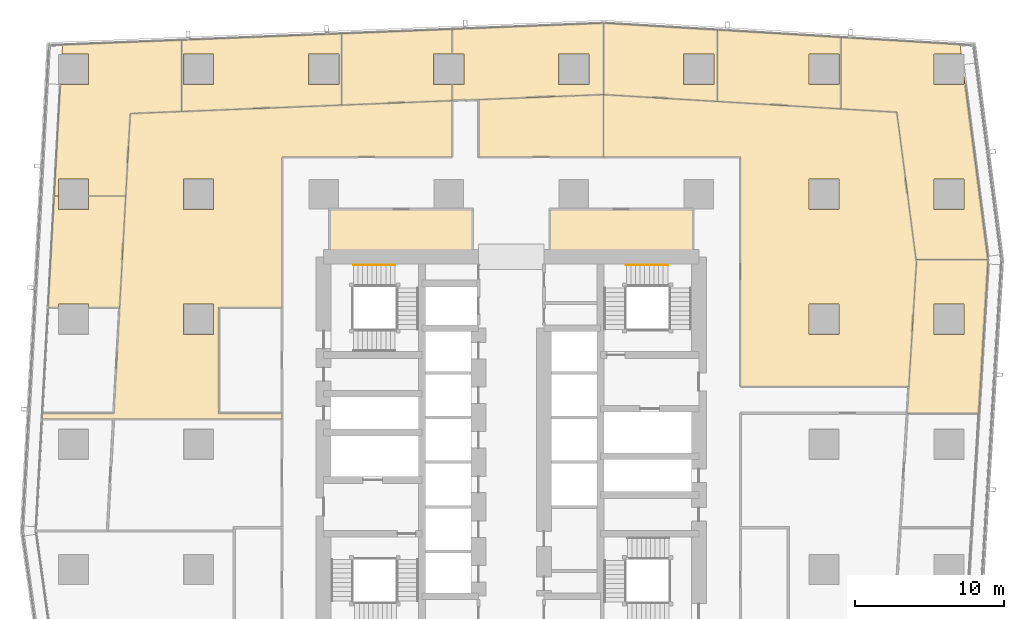
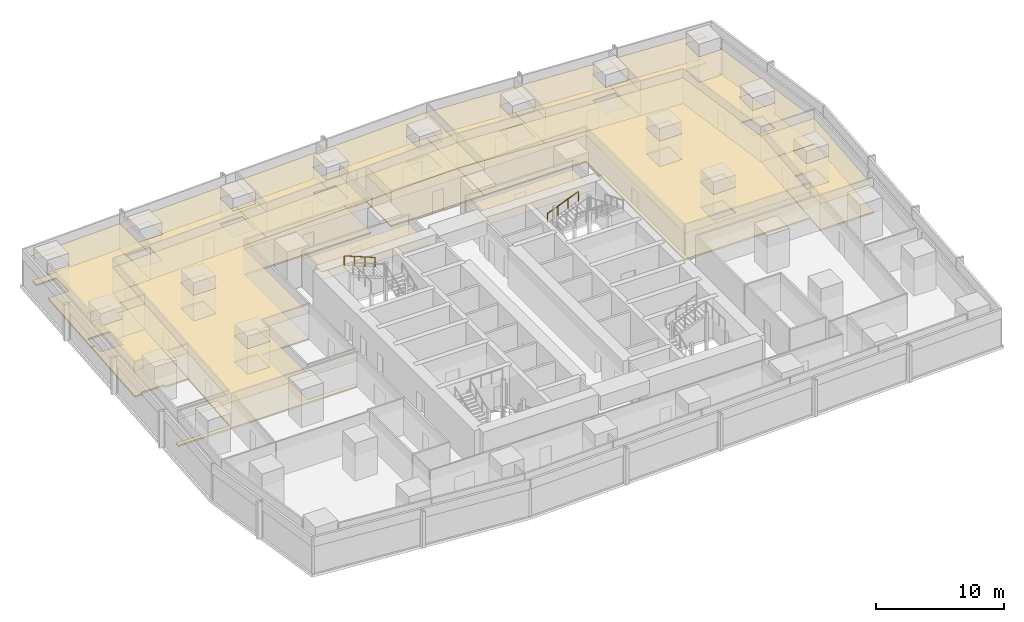
# One storey, part 39 of 39: 26 coverings, 2 railings.
"""IFC4 building model written with IfcOpenShell, lengths in metres."""

import ifcopenshell
import ifcopenshell.guid

model = None  # the IFC model being written
_history = None  # IfcOwnerHistory: only IFC2X3 demands one
_inside = {}  # id of a spatial element -> (the spatial element, [elements in it])
_under = {}  # id of a project, library or spatial element -> (it, [spatial elements below it])
_declared = {}  # id of a project -> (the project, [libraries it declares])
_typed = {}  # id of a type object -> (the type object, [elements of that type])
_made_of = {}  # id of a material, layer set ... -> (it, [elements and type objects made of it])


def new_model(schema):
    """Start an empty IFC model of exactly this schema.

    Asked for "IFC4X3", IfcOpenShell would pick the latest addendum, in which some entities
    have other attributes; the version numbers below select the first issue.
    IFC2X3 requires an IfcOwnerHistory on every rooted entity: one is made here for all.
    """
    global model, _history
    if schema == "IFC4X3":
        model = ifcopenshell.file(schema_version=(4, 3, 0, 0))
    else:
        model = ifcopenshell.file(schema=schema)
    _inside.clear()
    _under.clear()
    _declared.clear()
    _typed.clear()
    _made_of.clear()
    _history = None
    if model.schema == "IFC2X3":
        org = make("IfcOrganization", Name="unknown")
        user = make(
            "IfcPersonAndOrganization",
            ThePerson=make("IfcPerson", FamilyName="unknown"),
            TheOrganization=org,
        )
        app = make(
            "IfcApplication",
            ApplicationDeveloper=org,
            Version="unknown",
            ApplicationFullName="unknown",
            ApplicationIdentifier="unknown",
        )
        _history = make(
            "IfcOwnerHistory",
            OwningUser=user,
            OwningApplication=app,
            ChangeAction="ADDED",
            CreationDate=0,
        )
    return model


def make(cls, **values):
    """One entity of the class cls with the attributes given. An attribute that is None is left unset."""
    return model.create_entity(
        cls, **{name: value for name, value in values.items() if value is not None}
    )


def rooted(cls, **values):
    """An entity with a GlobalId (a new one), such as an element, a storey or a relation."""
    return make(cls, GlobalId=ifcopenshell.guid.new(), OwnerHistory=_history, **values)


def si_unit(unit_type, name, prefix=None):
    """IfcSIUnit, for example si_unit("LENGTHUNIT", "METRE", prefix="MILLI")."""
    return make("IfcSIUnit", UnitType=unit_type, Prefix=prefix, Name=name)


def assignment(units):
    """IfcUnitAssignment: the units of a project."""
    return None if units is None else make("IfcUnitAssignment", Units=units)


def point(xyz):
    """IfcCartesianPoint."""
    return None if xyz is None else make("IfcCartesianPoint", Coordinates=xyz)


def direction(xyz):
    """IfcDirection."""
    return None if xyz is None else make("IfcDirection", DirectionRatios=xyz)


def frame(location, z_axis=None, x_axis=None):
    """IfcAxis2Placement3D, a coordinate frame: its origin and axes. An axis left out is left unset."""
    return make(
        "IfcAxis2Placement3D",
        Location=point(location),
        Axis=direction(z_axis),
        RefDirection=direction(x_axis),
    )


def frame_2d(location, x_axis=None):
    """IfcAxis2Placement2D, a coordinate frame in the plane: its origin and x axis."""
    return make(
        "IfcAxis2Placement2D", Location=point(location), RefDirection=direction(x_axis)
    )


def origin():
    """The frame at (0, 0, 0) with its axes left unset."""
    return frame((0.0, 0.0, 0.0))


def origin_2d():
    """The frame at (0, 0) in the plane with its x axis left unset."""
    return frame_2d((0.0, 0.0))


def place(relative_to, where):
    """IfcLocalPlacement: puts the frame where relative to a parent placement (None: the world)."""
    return make(
        "IfcLocalPlacement", PlacementRelTo=relative_to, RelativePlacement=where
    )


def context(
    kind, dimensions, precision=None, world=None, true_north=None, identifier=None
):
    """IfcGeometricRepresentationContext, for example the 3D "Model" context."""
    return make(
        "IfcGeometricRepresentationContext",
        ContextIdentifier=identifier,
        ContextType=kind,
        CoordinateSpaceDimension=dimensions,
        Precision=precision,
        WorldCoordinateSystem=world,
        TrueNorth=true_north,
    )


def subcontext(parent, identifier, kind, view, scale=None):
    """IfcGeometricRepresentationSubContext, for example "Body" below "Model"."""
    return make(
        "IfcGeometricRepresentationSubContext",
        ContextIdentifier=identifier,
        ContextType=kind,
        ParentContext=parent,
        TargetScale=scale,
        TargetView=view,
    )


def project(units=None, contexts=None):
    """IfcProject with its units and contexts."""
    return rooted(
        "IfcProject",
        Name="project",
        RepresentationContexts=contexts,
        UnitsInContext=assignment(units),
    )


def spatial(cls, under=None, at=None, **own):
    """A site, building, storey or space (cls), placed at a placement, below another one or the project."""
    s = rooted(cls, ObjectPlacement=at, **own)
    if under is not None:
        _under.setdefault(under.id(), (under, []))[1].append(s)
    return s


def polyline(points):
    """IfcPolyline through the points."""
    return make("IfcPolyline", Points=[point(p) for p in points])


def profile(cls, at=None, kind="AREA", **sizes):
    """A parametric profile (cls). Its sizes go by their IFC names, for example OverallWidth=200.0."""
    return make(cls, ProfileType=kind, Position=at, **sizes)


def circle(**sizes):
    """IfcCircleProfileDef."""
    return profile("IfcCircleProfileDef", **sizes)


def outline(outer, holes=None, kind="AREA"):
    """IfcArbitraryClosedProfileDef: a profile drawn as a closed curve; with holes, ...WithVoids."""
    if holes is None:
        return make("IfcArbitraryClosedProfileDef", ProfileType=kind, OuterCurve=outer)
    return make(
        "IfcArbitraryProfileDefWithVoids",
        ProfileType=kind,
        OuterCurve=outer,
        InnerCurves=holes,
    )


def extrude(swept, where, along, depth):
    """IfcExtrudedAreaSolid: the profile swept, set in the frame where, extruded along a direction by depth."""
    return make(
        "IfcExtrudedAreaSolid",
        SweptArea=swept,
        Position=where,
        ExtrudedDirection=direction(along),
        Depth=depth,
    )


def shape(context_of_items, identifier, shape_type, items):
    """IfcShapeRepresentation: the items that make up one representation, for example the "Body"."""
    return make(
        "IfcShapeRepresentation",
        ContextOfItems=context_of_items,
        RepresentationIdentifier=identifier,
        RepresentationType=shape_type,
        Items=items,
    )


def material(Name=None, Category=None):
    """IfcMaterial."""
    return make("IfcMaterial", Name=Name, Category=Category)


def layer(
    of_material, thickness, ventilated=None, Name=None, Category=None, Priority=None
):
    """IfcMaterialLayer: one layer of a wall or slab, of a material (None: an air gap)."""
    return make(
        "IfcMaterialLayer",
        Material=of_material,
        LayerThickness=thickness,
        IsVentilated=ventilated,
        Name=Name,
        Category=Category,
        Priority=Priority,
    )


def layer_set(layers, Name=None):
    """IfcMaterialLayerSet."""
    return make("IfcMaterialLayerSet", MaterialLayers=layers, LayerSetName=Name)


def made_of(thing, what):
    """Note that an element or type object is made of a material, layer set ...; save() writes the relation."""
    if what is not None:
        _made_of.setdefault(what.id(), (what, []))[1].append(thing)
    return thing


def type_object(cls, material=None, **own):
    """A type object (cls), such as IfcWallType, which elements share."""
    return made_of(rooted(cls, **own), material)


def element(
    cls,
    number,
    at=None,
    inside=None,
    cuts=None,
    type_object=None,
    material=None,
    context=None,
    identifier="Body",
    shape_type=None,
    held_by="IfcProductDefinitionShape",
    body=None,
    shapes=None,
    **own,
):
    """One element of the class cls, such as IfcWall. Its Tag is "e" and its number.

    at: its placement. inside: the storey or other place that contains it. cuts: it is an
    opening in that element (IfcRelVoidsElement). A single representation is given by context,
    identifier, shape_type and body (its items); several are given by shapes. held_by: the class
    of the entity that holds the representations. save() writes the other relations.
    """
    e = rooted(cls, Tag="e%d" % number, ObjectPlacement=at, **own)
    if body is not None:
        shapes = [shape(context, identifier, shape_type, body)]
    if shapes is not None:
        e.Representation = make(held_by, Representations=shapes)
    if inside is not None:
        _inside.setdefault(inside.id(), (inside, []))[1].append(e)
    if cuts is not None:
        rooted(
            "IfcRelVoidsElement", RelatingBuildingElement=cuts, RelatedOpeningElement=e
        )
    if type_object is not None:
        _typed.setdefault(type_object.id(), (type_object, []))[1].append(e)
    return made_of(e, material)


def aggregate(whole, parts):
    """IfcRelAggregates: a whole, such as a stair, and the parts it consists of."""
    return rooted("IfcRelAggregates", RelatingObject=whole, RelatedObjects=parts)


def save(model, path):
    """Write the relations noted so far, then the file.

    IfcRelAggregates (storeys below a building ...), IfcRelContainedInSpatialStructure (elements
    in a storey), IfcRelDefinesByType, IfcRelAssociatesMaterial and IfcRelDeclares: one each for
    every whole, place, type object, material and project.
    """
    for whole, parts in _under.values():
        aggregate(whole, parts)
    for where, things in _inside.values():
        rooted(
            "IfcRelContainedInSpatialStructure",
            RelatedElements=things,
            RelatingStructure=where,
        )
    for kind, things in _typed.values():
        rooted("IfcRelDefinesByType", RelatedObjects=things, RelatingType=kind)
    for what, things in _made_of.values():
        rooted("IfcRelAssociatesMaterial", RelatedObjects=things, RelatingMaterial=what)
    for by, libraries in _declared.values():
        rooted("IfcRelDeclares", RelatingContext=by, RelatedDefinitions=libraries)
    model.write(path)


model = new_model("IFC4")

# Units and contexts
model_context = context("Model", 3, precision=1e-05, world=origin(), true_north=direction((0.0, 1.0)))
body_context = subcontext(model_context, "Body", "Model", "MODEL_VIEW")
ifc_project = project(units=[si_unit("LENGTHUNIT", "METRE"), si_unit("AREAUNIT", "SQUARE_METRE"), si_unit("VOLUMEUNIT", "CUBIC_METRE"), si_unit("PLANEANGLEUNIT", "RADIAN"), si_unit("MASSUNIT", "GRAM", prefix="KILO")], contexts=[model_context])

# Site, building, storey
site_placement = place(None, origin())
site = spatial("IfcSite", under=ifc_project, at=site_placement, CompositionType="ELEMENT")
building_placement = place(site_placement, origin())
building = spatial("IfcBuilding", under=site, at=building_placement, Name="Rekha Terrace Tower", CompositionType="ELEMENT")
storey_placement = place(building_placement, frame((0.0, 0.0, 151.550048828125)))
storey = spatial("IfcBuildingStorey", under=building, at=storey_placement, Name="L38", CompositionType="ELEMENT", Elevation=151.550048828125)

# Coverings
ifc_material_1 = material(Name="Mineral fibre tile in exposed grid", Category="finish")
ifc_layer_1 = layer(ifc_material_1, 0.02001953125)
ifc_layer_set_1 = layer_set([ifc_layer_1], Name="Mineral fibre tile in exposed grid")
covering_type_1 = type_object("IfcCoveringType", Name="CL1 600x1200 office grid ceiling", PredefinedType="CEILING", material=ifc_layer_set_1)
covering_1_placement = place(storey_placement, frame((0.0, 0.0, 2.579833984375)))
element("IfcCovering", 1, at=covering_1_placement, inside=storey, type_object=covering_type_1, Name="Ceiling L38-04", PredefinedType="CEILING", context=body_context, shape_type="SweptSolid", body=[
    extrude(outline(polyline([(69.837890625, 46.0029296875), (65.029052734375, 46.0029296875), (64.507080078125, 37.489990234375), (64.39697265625, 35.68701171875), (69.2060546875, 35.68701171875), (69.837890625, 46.0029296875)]), holes=[polyline([(68.215087890625, 40.985107421875), (66.18505859375, 40.985107421875), (66.18505859375, 43.014892578125), (68.215087890625, 43.014892578125), (68.215087890625, 40.985107421875)])]), origin(), (0.0, 0.0, 1.0), 0.02001953125),
])
covering_2_placement = place(storey_placement, frame((0.0, 0.0, 2.579833984375)))
element("IfcCovering", 2, at=covering_2_placement, inside=storey, type_object=covering_type_1, Name="Ceiling L38-05", PredefinedType="CEILING", context=body_context, shape_type="SweptSolid", body=[
    extrude(outline(polyline([(67.948974609375, 60.462890625), (59.93701171875, 60.944091796875), (59.93701171875, 56.135986328125), (63.700927734375, 55.909912109375), (64.990966796875, 46.00390625), (69.83203125, 46.00390625), (68.235107421875, 58.264892578125), (68.215087890625, 58.262939453125), (68.215087890625, 57.784912109375), (66.18505859375, 57.784912109375), (66.18505859375, 59.81494140625), (68.032958984375, 59.81494140625), (67.948974609375, 60.462890625)]), holes=[polyline([(68.215087890625, 49.385009765625), (66.18505859375, 49.385009765625), (66.18505859375, 51.4150390625), (68.215087890625, 51.4150390625), (68.215087890625, 49.385009765625)])]), origin(), (0.0, 0.0, 1.0), 0.02001953125),
])
covering_3_placement = place(storey_placement, frame((0.0, 0.0, 2.579833984375)))
element("IfcCovering", 3, at=covering_3_placement, inside=storey, type_object=covering_type_1, Name="Ceiling L38-06", PredefinedType="CEILING", context=body_context, shape_type="SweptSolid", body=[
    extrude(outline(polyline([(59.93603515625, 56.135986328125), (59.93603515625, 60.945068359375), (51.64404296875, 61.443115234375), (51.64404296875, 56.634033203125), (59.93603515625, 56.135986328125)]), holes=[polyline([(59.81494140625, 57.784912109375), (57.784912109375, 57.784912109375), (57.784912109375, 59.81494140625), (59.81494140625, 59.81494140625), (59.81494140625, 57.784912109375)])]), origin(), (0.0, 0.0, 1.0), 0.02001953125),
])
covering_4_placement = place(storey_placement, frame((0.0, 0.0, 2.579833984375)))
element("IfcCovering", 4, at=covering_4_placement, inside=storey, type_object=covering_type_1, Name="Ceiling L38-07", PredefinedType="CEILING", context=body_context, shape_type="SweptSolid", body=[
    extrude(outline(polyline([(51.64306640625, 56.634033203125), (51.64306640625, 61.443115234375), (44.00390625, 61.902099609375), (44.00390625, 57.093017578125), (51.64306640625, 56.634033203125)]), holes=[polyline([(51.4150390625, 57.784912109375), (49.385009765625, 57.784912109375), (49.385009765625, 59.81494140625), (51.4150390625, 59.81494140625), (51.4150390625, 57.784912109375)])]), origin(), (0.0, 0.0, 1.0), 0.02001953125),
])
covering_5_placement = place(storey_placement, frame((0.0, 0.0, 2.579833984375)))
element("IfcCovering", 5, at=covering_5_placement, inside=storey, type_object=covering_type_1, Name="Ceiling L38-O1", PredefinedType="CEILING", context=body_context, shape_type="SweptSolid", body=[
    extrude(outline(polyline([(51.64306640625, 56.634033203125), (44.0029296875, 57.093017578125), (44.0029296875, 52.89990234375), (53.199951171875, 52.89990234375), (53.199951171875, 37.489990234375), (64.507080078125, 37.489990234375), (65.01708984375, 45.806884765625), (64.990966796875, 46.0029296875), (63.700927734375, 55.909912109375), (59.93603515625, 56.135986328125), (51.64306640625, 56.634033203125)]), holes=[polyline([(59.81494140625, 40.985107421875), (57.784912109375, 40.985107421875), (57.784912109375, 43.014892578125), (59.81494140625, 43.014892578125), (59.81494140625, 40.985107421875)]), polyline([(59.81494140625, 49.385009765625), (57.784912109375, 49.385009765625), (57.784912109375, 51.4150390625), (59.81494140625, 51.4150390625), (59.81494140625, 49.385009765625)])]), origin(), (0.0, 0.0, 1.0), 0.02001953125),
])
covering_6_placement = place(storey_placement, frame((0.0, 0.0, 2.579833984375)))
element("IfcCovering", 6, at=covering_6_placement, inside=storey, type_object=covering_type_1, Name="Ceiling L38-12", PredefinedType="CEILING", context=body_context, shape_type="SweptSolid", body=[
    extrude(outline(polyline([(33.826904296875, 61.490966796875), (26.407958984375, 61.194091796875), (26.407958984375, 56.389892578125), (33.826904296875, 56.68701171875), (33.826904296875, 57.784912109375), (32.5849609375, 57.784912109375), (32.5849609375, 59.81494140625), (33.826904296875, 59.81494140625), (33.826904296875, 61.490966796875)])), origin(), (0.0, 0.0, 1.0), 0.02001953125),
])
covering_7_placement = place(storey_placement, frame((0.0, 0.0, 2.579833984375)))
element("IfcCovering", 7, at=covering_7_placement, inside=storey, type_object=covering_type_1, Name="Ceiling L38-13", PredefinedType="CEILING", context=body_context, shape_type="SweptSolid", body=[
    extrude(outline(polyline([(26.406982421875, 56.389892578125), (26.406982421875, 61.193115234375), (15.6650390625, 60.762939453125), (15.6650390625, 55.958984375), (26.406982421875, 56.389892578125)]), holes=[polyline([(26.215087890625, 57.784912109375), (24.18505859375, 57.784912109375), (24.18505859375, 59.81494140625), (26.215087890625, 59.81494140625), (26.215087890625, 57.784912109375)]), polyline([(17.81494140625, 57.784912109375), (15.784912109375, 57.784912109375), (15.784912109375, 59.81494140625), (17.81494140625, 59.81494140625), (17.81494140625, 57.784912109375)])]), origin(), (0.0, 0.0, 1.0), 0.02001953125),
])
covering_8_placement = place(storey_placement, frame((0.0, 0.0, 2.579833984375)))
element("IfcCovering", 8, at=covering_8_placement, inside=storey, type_object=covering_type_1, Name="Ceiling L38-14", PredefinedType="CEILING", context=body_context, shape_type="SweptSolid", body=[
    extrude(outline(polyline([(9.4150390625, 51.4150390625), (9.4150390625, 50.284912109375), (11.903076171875, 50.284912109375), (12.20703125, 55.821044921875), (15.6640625, 55.958984375), (15.6640625, 60.762939453125), (7.653076171875, 60.44189453125), (7.618896484375, 59.81494140625), (9.4150390625, 59.81494140625), (9.4150390625, 57.784912109375), (7.507080078125, 57.784912109375), (7.095947265625, 50.284912109375), (7.385009765625, 50.284912109375), (7.385009765625, 51.4150390625), (9.4150390625, 51.4150390625)])), origin(), (0.0, 0.0, 1.0), 0.02001953125),
])
covering_9_placement = place(storey_placement, frame((0.0, 0.0, 2.579833984375)))
element("IfcCovering", 9, at=covering_9_placement, inside=storey, type_object=covering_type_1, Name="Ceiling L38-15", PredefinedType="CEILING", context=body_context, shape_type="SweptSolid", body=[
    extrude(outline(polyline([(7.385009765625, 50.283935546875), (7.095947265625, 50.283935546875), (6.68505859375, 42.794921875), (7.385009765625, 42.794921875), (7.385009765625, 43.014892578125), (9.4150390625, 43.014892578125), (9.4150390625, 42.794921875), (11.492919921875, 42.794921875), (11.903076171875, 50.283935546875), (9.4150390625, 50.283935546875), (9.4150390625, 49.385009765625), (7.385009765625, 49.385009765625), (7.385009765625, 50.283935546875)])), origin(), (0.0, 0.0, 1.0), 0.02001953125),
])
covering_10_placement = place(storey_placement, frame((0.0, 0.0, 2.579833984375)))
element("IfcCovering", 10, at=covering_10_placement, inside=storey, type_object=covering_type_1, Name="Ceiling L38-O2", PredefinedType="CEILING", context=body_context, shape_type="SweptSolid", body=[
    extrude(outline(polyline([(11.903076171875, 50.283935546875), (11.492919921875, 42.7939453125), (11.10302734375, 35.68798828125), (6.2958984375, 35.68798828125), (6.27490234375, 35.303955078125), (22.39990234375, 35.303955078125), (22.39990234375, 35.68798828125), (18.14990234375, 35.68798828125), (18.14990234375, 42.794921875), (22.39990234375, 42.794921875), (22.39990234375, 52.89990234375), (33.825927734375, 52.89990234375), (33.825927734375, 56.68701171875), (26.39208984375, 56.388916015625), (15.64892578125, 55.9580078125), (12.20703125, 55.821044921875), (11.903076171875, 50.283935546875)]), holes=[polyline([(17.81494140625, 40.985107421875), (15.784912109375, 40.985107421875), (15.784912109375, 43.014892578125), (17.81494140625, 43.014892578125), (17.81494140625, 40.985107421875)]), polyline([(17.81494140625, 49.385009765625), (15.784912109375, 49.385009765625), (15.784912109375, 51.4150390625), (17.81494140625, 51.4150390625), (17.81494140625, 49.385009765625)])]), origin(), (0.0, 0.0, 1.0), 0.02001953125),
])
covering_11_placement = place(storey_placement, frame((0.0, 0.0, 2.579833984375)))
element("IfcCovering", 11, at=covering_11_placement, inside=storey, type_object=covering_type_1, Name="Ceiling L38-18", PredefinedType="CEILING", context=body_context, shape_type="SweptSolid", body=[
    extrude(outline(polyline([(33.826904296875, 56.7119140625), (34.72607421875, 56.748046875), (34.72607421875, 56.722900390625), (35.6259765625, 56.759033203125), (44.0029296875, 57.094970703125), (44.0029296875, 61.89892578125), (34.72607421875, 61.527099609375), (33.826904296875, 61.490966796875), (33.826904296875, 59.81494140625), (34.614990234375, 59.81494140625), (34.614990234375, 57.784912109375), (33.826904296875, 57.784912109375), (33.826904296875, 56.7119140625)]), holes=[polyline([(43.014892578125, 57.784912109375), (40.985107421875, 57.784912109375), (40.985107421875, 59.81494140625), (43.014892578125, 59.81494140625), (43.014892578125, 57.784912109375)])]), origin(), (0.0, 0.0, 1.0), 0.02001953125),
])
covering_12_placement = place(storey_placement, frame((0.0, 0.0, 2.579833984375)))
element("IfcCovering", 12, at=covering_12_placement, inside=storey, type_object=covering_type_1, Name="Ceiling L38-19", PredefinedType="CEILING", context=body_context, shape_type="SweptSolid", body=[
    extrude(outline(polyline([(44.0029296875, 57.094970703125), (35.6259765625, 56.759033203125), (35.6259765625, 52.89990234375), (44.0029296875, 52.89990234375), (44.0029296875, 57.094970703125)])), origin(), (0.0, 0.0, 1.0), 0.02001953125),
])
ifc_material_2 = material(Name="Fibre cement board", Category="finish")
ifc_layer_2 = layer(ifc_material_2, 0.014892578125)
ifc_layer_set_2 = layer_set([ifc_layer_2], Name="Fibre cement board")
covering_type_2 = type_object("IfcCoveringType", Name="CL2 moisture-resistant board ceiling", PredefinedType="CEILING", material=ifc_layer_set_2)
covering_13_placement = place(storey_placement, frame((0.0, 0.0, 2.5849609375)))
element("IfcCovering", 13, at=covering_13_placement, inside=storey, type_object=covering_type_2, Name="Ceiling L38-WCF", PredefinedType="CEILING", context=body_context, shape_type="SweptSolid", body=[
    extrude(outline(polyline([(40.985107421875, 49.39990234375), (40.39990234375, 49.39990234375), (40.39990234375, 46.199951171875), (50.0, 46.199951171875), (50.0, 49.385009765625), (49.385009765625, 49.385009765625), (49.385009765625, 49.39990234375), (43.014892578125, 49.39990234375), (43.014892578125, 49.385009765625), (40.985107421875, 49.385009765625), (40.985107421875, 49.39990234375)])), origin(), (0.0, 0.0, 1.0), 0.014892578125),
])
covering_14_placement = place(storey_placement, frame((0.0, 0.0, 2.5849609375)))
element("IfcCovering", 14, at=covering_14_placement, inside=storey, type_object=covering_type_2, Name="Ceiling L38-WCF2", PredefinedType="CEILING", context=body_context, shape_type="SweptSolid", body=[
    extrude(outline(polyline([(26.215087890625, 49.385009765625), (25.60009765625, 49.385009765625), (25.60009765625, 46.199951171875), (35.199951171875, 46.199951171875), (35.199951171875, 49.39990234375), (34.614990234375, 49.39990234375), (34.614990234375, 49.385009765625), (32.5849609375, 49.385009765625), (32.5849609375, 49.39990234375), (26.215087890625, 49.39990234375), (26.215087890625, 49.385009765625)])), origin(), (0.0, 0.0, 1.0), 0.014892578125),
])

# Railings
ifc_material_3 = material(Name="Stainless steel tube", Category="steel")
railing_type = type_object("IfcRailingType", Name="HR1 900 stair handrail", PredefinedType="HANDRAIL", material=ifc_material_3)
railing_1_placement = place(storey_placement, frame((45.52490234375, 45.639892578125, 1.375)))
element("IfcRailing", 15, at=railing_1_placement, inside=storey, type_object=railing_type, Name="Handrail ST2 L38 flight 2", PredefinedType="HANDRAIL", context=body_context, shape_type="SweptSolid", body=[
    extrude(circle(Radius=0.02392578125, at=origin_2d()), frame((0.0, 0.0, 0.8759765625), z_axis=(0.927443287984, 0.0, 0.373963831907), x_axis=(0.0, 1.0, 0.0)), (0.0, 0.0, 1.0), 3.00830078125),
    extrude(circle(Radius=0.02099609375, at=origin_2d()), origin(), (0.0, 0.0, 1.0), 0.851806640625),
    extrude(circle(Radius=0.02099609375, at=origin_2d()), frame((0.929931640625, 0.0, 0.375)), (0.0, 0.0, 1.0), 0.851806640625),
    extrude(circle(Radius=0.02099609375, at=origin_2d()), frame((1.860107421875, 0.0, 0.75)), (0.0, 0.0, 1.0), 0.851806640625),
    extrude(circle(Radius=0.02099609375, at=origin_2d()), frame((2.7900390625, 0.0, 1.125)), (0.0, 0.0, 1.0), 0.851806640625),
])
railing_2_placement = place(storey_placement, frame((29.989990234375, 45.639892578125, 2.625)))
element("IfcRailing", 16, at=railing_2_placement, inside=storey, type_object=railing_type, Name="Handrail ST4 L38 flight 3", PredefinedType="HANDRAIL", context=body_context, shape_type="SweptSolid", body=[
    extrude(circle(Radius=0.02392578125, at=origin_2d()), frame((0.0, 0.0, 0.8759765625), z_axis=(-0.927443287984, 0.0, 0.373963831907), x_axis=(0.0, -1.0, 0.0)), (0.0, 0.0, 1.0), 3.00830078125),
    extrude(circle(Radius=0.02099609375, at=origin_2d()), origin(), (0.0, 0.0, 1.0), 0.851806640625),
    extrude(circle(Radius=0.02099609375, at=origin_2d()), frame((-0.929931640625, 0.0, 0.375)), (0.0, 0.0, 1.0), 0.851806640625),
    extrude(circle(Radius=0.02099609375, at=origin_2d()), frame((-1.860107421875, 0.0, 0.75)), (0.0, 0.0, 1.0), 0.851806640625),
    extrude(circle(Radius=0.02099609375, at=origin_2d()), frame((-2.7900390625, 0.0, 1.125)), (0.0, 0.0, 1.0), 0.851806640625),
])

# Coverings
ifc_material_4 = material(Name="Calcium sulphate panels on steel pedestals", Category="steel")
ifc_layer_3 = layer(ifc_material_4, 0.14990234375)
ifc_layer_set_3 = layer_set([ifc_layer_3], Name="Calcium sulphate panels on steel pedestals")
covering_type_3 = type_object("IfcCoveringType", Name="RF1 150 raised access floor", PredefinedType="FLOORING", material=ifc_layer_set_3)
covering_15_placement = place(storey_placement, origin())
element("IfcCovering", 17, at=covering_15_placement, inside=storey, type_object=covering_type_3, Name="Raised floor L38-04", PredefinedType="FLOORING", context=body_context, shape_type="SweptSolid", body=[
    extrude(outline(polyline([(69.837890625, 46.0029296875), (65.029052734375, 46.0029296875), (64.507080078125, 37.489990234375), (64.39697265625, 35.68701171875), (69.2060546875, 35.68701171875), (69.837890625, 46.0029296875)]), holes=[polyline([(68.215087890625, 40.985107421875), (66.18505859375, 40.985107421875), (66.18505859375, 43.014892578125), (68.215087890625, 43.014892578125), (68.215087890625, 40.985107421875)])]), origin(), (0.0, 0.0, 1.0), 0.14990234375),
])
covering_16_placement = place(storey_placement, origin())
element("IfcCovering", 18, at=covering_16_placement, inside=storey, type_object=covering_type_3, Name="Raised floor L38-05", PredefinedType="FLOORING", context=body_context, shape_type="SweptSolid", body=[
    extrude(outline(polyline([(67.948974609375, 60.462890625), (59.93701171875, 60.944091796875), (59.93701171875, 56.135986328125), (63.700927734375, 55.909912109375), (64.990966796875, 46.00390625), (69.83203125, 46.00390625), (68.235107421875, 58.264892578125), (68.215087890625, 58.262939453125), (68.215087890625, 57.784912109375), (66.18505859375, 57.784912109375), (66.18505859375, 59.81494140625), (68.032958984375, 59.81494140625), (67.948974609375, 60.462890625)]), holes=[polyline([(68.215087890625, 49.385009765625), (66.18505859375, 49.385009765625), (66.18505859375, 51.4150390625), (68.215087890625, 51.4150390625), (68.215087890625, 49.385009765625)])]), origin(), (0.0, 0.0, 1.0), 0.14990234375),
])
covering_17_placement = place(storey_placement, origin())
element("IfcCovering", 19, at=covering_17_placement, inside=storey, type_object=covering_type_3, Name="Raised floor L38-06", PredefinedType="FLOORING", context=body_context, shape_type="SweptSolid", body=[
    extrude(outline(polyline([(59.93603515625, 56.135986328125), (59.93603515625, 60.945068359375), (51.64404296875, 61.443115234375), (51.64404296875, 56.634033203125), (59.93603515625, 56.135986328125)]), holes=[polyline([(59.81494140625, 57.784912109375), (57.784912109375, 57.784912109375), (57.784912109375, 59.81494140625), (59.81494140625, 59.81494140625), (59.81494140625, 57.784912109375)])]), origin(), (0.0, 0.0, 1.0), 0.14990234375),
])
covering_18_placement = place(storey_placement, origin())
element("IfcCovering", 20, at=covering_18_placement, inside=storey, type_object=covering_type_3, Name="Raised floor L38-07", PredefinedType="FLOORING", context=body_context, shape_type="SweptSolid", body=[
    extrude(outline(polyline([(51.64306640625, 56.634033203125), (51.64306640625, 61.443115234375), (44.00390625, 61.902099609375), (44.00390625, 57.093017578125), (51.64306640625, 56.634033203125)]), holes=[polyline([(51.4150390625, 57.784912109375), (49.385009765625, 57.784912109375), (49.385009765625, 59.81494140625), (51.4150390625, 59.81494140625), (51.4150390625, 57.784912109375)])]), origin(), (0.0, 0.0, 1.0), 0.14990234375),
])
covering_19_placement = place(storey_placement, origin())
element("IfcCovering", 21, at=covering_19_placement, inside=storey, type_object=covering_type_3, Name="Raised floor L38-O1", PredefinedType="FLOORING", context=body_context, shape_type="SweptSolid", body=[
    extrude(outline(polyline([(51.64306640625, 56.634033203125), (44.0029296875, 57.093017578125), (44.0029296875, 52.89990234375), (53.199951171875, 52.89990234375), (53.199951171875, 37.489990234375), (64.507080078125, 37.489990234375), (65.01708984375, 45.806884765625), (64.990966796875, 46.0029296875), (63.700927734375, 55.909912109375), (59.93603515625, 56.135986328125), (51.64306640625, 56.634033203125)]), holes=[polyline([(59.81494140625, 40.985107421875), (57.784912109375, 40.985107421875), (57.784912109375, 43.014892578125), (59.81494140625, 43.014892578125), (59.81494140625, 40.985107421875)]), polyline([(59.81494140625, 49.385009765625), (57.784912109375, 49.385009765625), (57.784912109375, 51.4150390625), (59.81494140625, 51.4150390625), (59.81494140625, 49.385009765625)])]), origin(), (0.0, 0.0, 1.0), 0.14990234375),
])
covering_20_placement = place(storey_placement, origin())
element("IfcCovering", 22, at=covering_20_placement, inside=storey, type_object=covering_type_3, Name="Raised floor L38-12", PredefinedType="FLOORING", context=body_context, shape_type="SweptSolid", body=[
    extrude(outline(polyline([(33.826904296875, 61.490966796875), (26.407958984375, 61.194091796875), (26.407958984375, 56.389892578125), (33.826904296875, 56.68701171875), (33.826904296875, 57.784912109375), (32.5849609375, 57.784912109375), (32.5849609375, 59.81494140625), (33.826904296875, 59.81494140625), (33.826904296875, 61.490966796875)])), origin(), (0.0, 0.0, 1.0), 0.14990234375),
])
covering_21_placement = place(storey_placement, origin())
element("IfcCovering", 23, at=covering_21_placement, inside=storey, type_object=covering_type_3, Name="Raised floor L38-13", PredefinedType="FLOORING", context=body_context, shape_type="SweptSolid", body=[
    extrude(outline(polyline([(26.406982421875, 56.389892578125), (26.406982421875, 61.193115234375), (15.6650390625, 60.762939453125), (15.6650390625, 55.958984375), (26.406982421875, 56.389892578125)]), holes=[polyline([(26.215087890625, 57.784912109375), (24.18505859375, 57.784912109375), (24.18505859375, 59.81494140625), (26.215087890625, 59.81494140625), (26.215087890625, 57.784912109375)]), polyline([(17.81494140625, 57.784912109375), (15.784912109375, 57.784912109375), (15.784912109375, 59.81494140625), (17.81494140625, 59.81494140625), (17.81494140625, 57.784912109375)])]), origin(), (0.0, 0.0, 1.0), 0.14990234375),
])
covering_22_placement = place(storey_placement, origin())
element("IfcCovering", 24, at=covering_22_placement, inside=storey, type_object=covering_type_3, Name="Raised floor L38-14", PredefinedType="FLOORING", context=body_context, shape_type="SweptSolid", body=[
    extrude(outline(polyline([(9.4150390625, 51.4150390625), (9.4150390625, 50.284912109375), (11.903076171875, 50.284912109375), (12.20703125, 55.821044921875), (15.6640625, 55.958984375), (15.6640625, 60.762939453125), (7.653076171875, 60.44189453125), (7.618896484375, 59.81494140625), (9.4150390625, 59.81494140625), (9.4150390625, 57.784912109375), (7.507080078125, 57.784912109375), (7.095947265625, 50.284912109375), (7.385009765625, 50.284912109375), (7.385009765625, 51.4150390625), (9.4150390625, 51.4150390625)])), origin(), (0.0, 0.0, 1.0), 0.14990234375),
])
covering_23_placement = place(storey_placement, origin())
element("IfcCovering", 25, at=covering_23_placement, inside=storey, type_object=covering_type_3, Name="Raised floor L38-15", PredefinedType="FLOORING", context=body_context, shape_type="SweptSolid", body=[
    extrude(outline(polyline([(7.385009765625, 50.283935546875), (7.095947265625, 50.283935546875), (6.68505859375, 42.794921875), (7.385009765625, 42.794921875), (7.385009765625, 43.014892578125), (9.4150390625, 43.014892578125), (9.4150390625, 42.794921875), (11.492919921875, 42.794921875), (11.903076171875, 50.283935546875), (9.4150390625, 50.283935546875), (9.4150390625, 49.385009765625), (7.385009765625, 49.385009765625), (7.385009765625, 50.283935546875)])), origin(), (0.0, 0.0, 1.0), 0.14990234375),
])
covering_24_placement = place(storey_placement, origin())
element("IfcCovering", 26, at=covering_24_placement, inside=storey, type_object=covering_type_3, Name="Raised floor L38-O2", PredefinedType="FLOORING", context=body_context, shape_type="SweptSolid", body=[
    extrude(outline(polyline([(11.903076171875, 50.283935546875), (11.492919921875, 42.7939453125), (11.10302734375, 35.68798828125), (6.2958984375, 35.68798828125), (6.27490234375, 35.303955078125), (22.39990234375, 35.303955078125), (22.39990234375, 35.68798828125), (18.14990234375, 35.68798828125), (18.14990234375, 42.794921875), (22.39990234375, 42.794921875), (22.39990234375, 52.89990234375), (33.825927734375, 52.89990234375), (33.825927734375, 56.68701171875), (26.39208984375, 56.388916015625), (15.64892578125, 55.9580078125), (12.20703125, 55.821044921875), (11.903076171875, 50.283935546875)]), holes=[polyline([(17.81494140625, 40.985107421875), (15.784912109375, 40.985107421875), (15.784912109375, 43.014892578125), (17.81494140625, 43.014892578125), (17.81494140625, 40.985107421875)]), polyline([(17.81494140625, 49.385009765625), (15.784912109375, 49.385009765625), (15.784912109375, 51.4150390625), (17.81494140625, 51.4150390625), (17.81494140625, 49.385009765625)])]), origin(), (0.0, 0.0, 1.0), 0.14990234375),
])
covering_25_placement = place(storey_placement, origin())
element("IfcCovering", 27, at=covering_25_placement, inside=storey, type_object=covering_type_3, Name="Raised floor L38-18", PredefinedType="FLOORING", context=body_context, shape_type="SweptSolid", body=[
    extrude(outline(polyline([(33.826904296875, 56.7119140625), (34.72607421875, 56.748046875), (34.72607421875, 56.722900390625), (35.6259765625, 56.759033203125), (44.0029296875, 57.094970703125), (44.0029296875, 61.89892578125), (34.72607421875, 61.527099609375), (33.826904296875, 61.490966796875), (33.826904296875, 59.81494140625), (34.614990234375, 59.81494140625), (34.614990234375, 57.784912109375), (33.826904296875, 57.784912109375), (33.826904296875, 56.7119140625)]), holes=[polyline([(43.014892578125, 57.784912109375), (40.985107421875, 57.784912109375), (40.985107421875, 59.81494140625), (43.014892578125, 59.81494140625), (43.014892578125, 57.784912109375)])]), origin(), (0.0, 0.0, 1.0), 0.14990234375),
])
covering_26_placement = place(storey_placement, origin())
element("IfcCovering", 28, at=covering_26_placement, inside=storey, type_object=covering_type_3, Name="Raised floor L38-19", PredefinedType="FLOORING", context=body_context, shape_type="SweptSolid", body=[
    extrude(outline(polyline([(44.0029296875, 57.094970703125), (35.6259765625, 56.759033203125), (35.6259765625, 52.89990234375), (44.0029296875, 52.89990234375), (44.0029296875, 57.094970703125)])), origin(), (0.0, 0.0, 1.0), 0.14990234375),
])

save(model, "model.ifc")
